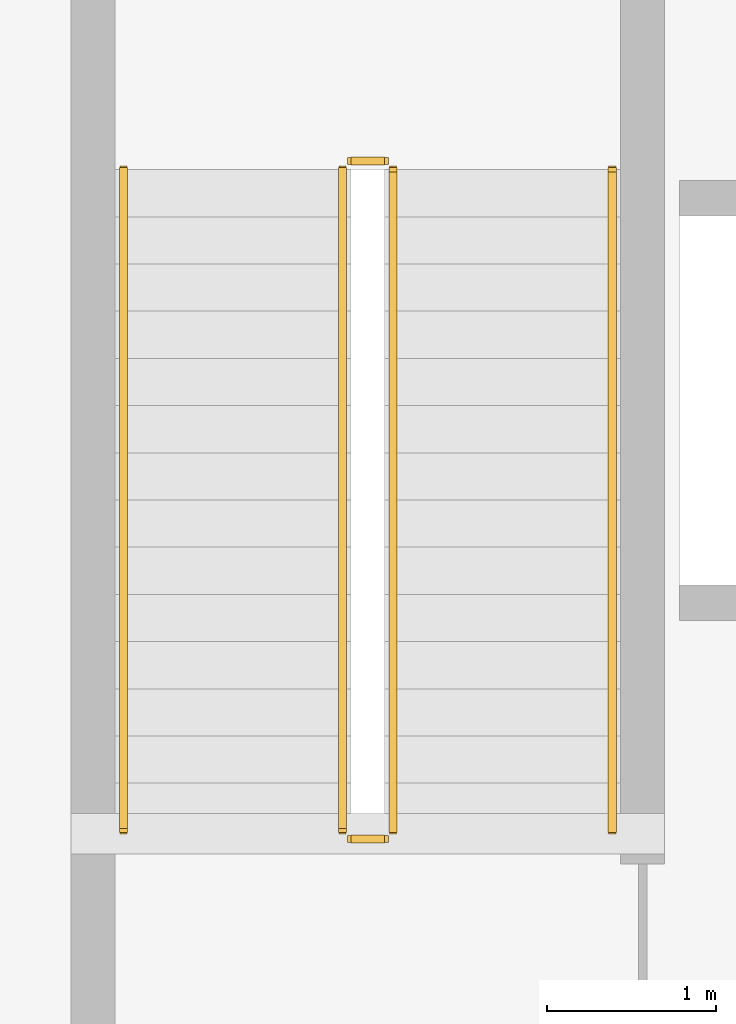
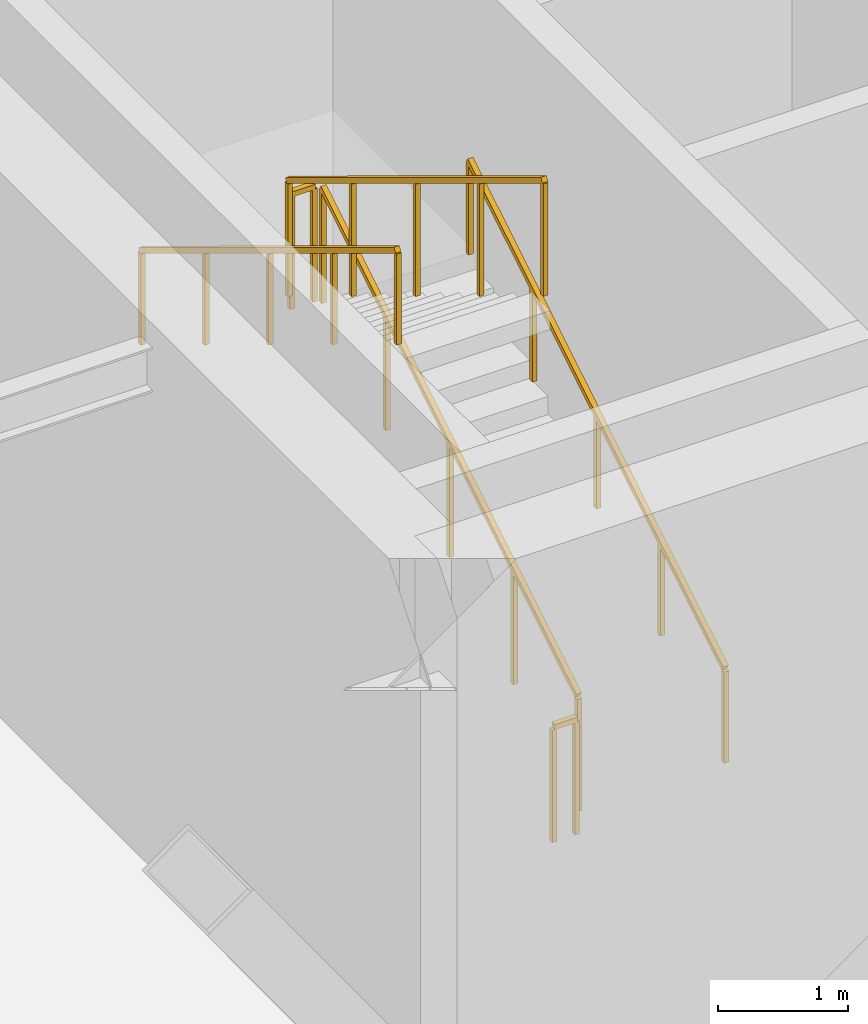
# One storey, part 14 of 16: 6 railings.
"""IFC4 building model written with IfcOpenShell, lengths in metres."""

from ifc_helpers import new_model, si_unit, direction, frame, origin, origin_2d, place, context, subcontext, project, spatial, rectangle, extrude, material, type_object, element, save


model = new_model("IFC4")

# Units and contexts
model_context = context("Model", 3, precision=1e-05, world=origin(), true_north=direction((0.0, 1.0)))
body_context = subcontext(model_context, "Body", "Model", "MODEL_VIEW")
ifc_project = project(units=[si_unit("LENGTHUNIT", "METRE"), si_unit("AREAUNIT", "SQUARE_METRE"), si_unit("VOLUMEUNIT", "CUBIC_METRE"), si_unit("PLANEANGLEUNIT", "RADIAN"), si_unit("MASSUNIT", "GRAM", prefix="KILO")], contexts=[model_context])

# Site, building, storey
site_placement = place(None, origin())
site = spatial("IfcSite", under=ifc_project, at=site_placement, CompositionType="ELEMENT")
building_placement = place(site_placement, origin())
building = spatial("IfcBuilding", under=site, at=building_placement, Name="Kiyonajd Concourse Tower", CompositionType="ELEMENT")
storey_placement = place(building_placement, frame((0.0, 0.0, 209.699951171875)))
storey = spatial("IfcBuildingStorey", under=building, at=storey_placement, Name="L53", CompositionType="ELEMENT", Elevation=209.699951171875)

# Railings
ifc_material_1 = material(Name="Steel ASTM A500 Grade C", Category="steel")
railing_type_1 = type_object("IfcRailingType", Name="RL-GRD-STR", PredefinedType="GUARDRAIL", material=ifc_material_1)
railing_1_placement = place(storey_placement, frame((35.5, 30.550048828125, 0.170166015625)))
element("IfcRailing", 1, at=railing_1_placement, inside=storey, type_object=railing_type_1, Name="L53 ST1 stair guard 1", PredefinedType="GUARDRAIL", context=body_context, shape_type="SweptSolid", body=[
    extrude(rectangle(XDim=0.048095703125, YDim=0.048095703125, at=origin_2d()), frame((0.0, 0.0, 1.076171875), z_axis=(0.0, 0.854794262968, 0.518967020143), x_axis=(-1.0, 0.0, 0.0)), (0.0, 0.0, 1.0), 4.585693359375),
    extrude(rectangle(XDim=0.0419921875, YDim=0.0419921875, at=origin_2d()), origin(), (0.0, 0.0, 1.0), 1.052001953125),
    extrude(rectangle(XDim=0.0419921875, YDim=0.0419921875, at=origin_2d()), frame((0.0, 0.97998046875, 0.594970703125)), (0.0, 0.0, 1.0), 1.052001953125),
    extrude(rectangle(XDim=0.0419921875, YDim=0.0419921875, at=origin_2d()), frame((0.0, 1.9599609375, 1.18994140625)), (0.0, 0.0, 1.0), 1.052001953125),
    extrude(rectangle(XDim=0.0419921875, YDim=0.0419921875, at=origin_2d()), frame((0.0, 2.93994140625, 1.784912109375)), (0.0, 0.0, 1.0), 1.052001953125),
    extrude(rectangle(XDim=0.0419921875, YDim=0.0419921875, at=origin_2d()), frame((0.0, 3.919921875, 2.3798828125)), (0.0, 0.0, 1.0), 1.052001953125),
])
railing_2_placement = place(storey_placement, frame((35.449951171875, 34.52001953125, 2.550048828125)))
element("IfcRailing", 2, at=railing_2_placement, inside=storey, type_object=railing_type_1, Name="L53 ST1 stair guard 2", PredefinedType="GUARDRAIL", context=body_context, shape_type="SweptSolid", body=[
    extrude(rectangle(XDim=0.048095703125, YDim=0.048095703125, at=origin_2d()), frame((0.0, 0.0, 1.076171875), z_axis=(-1.0, 0.0, 0.0), x_axis=(0.0, -1.0, 0.0)), (0.0, 0.0, 1.0), 0.199951171875),
    extrude(rectangle(XDim=0.0419921875, YDim=0.0419921875, at=origin_2d()), origin(), (0.0, 0.0, 1.0), 1.052001953125),
    extrude(rectangle(XDim=0.0419921875, YDim=0.0419921875, at=origin_2d()), frame((-0.199951171875, 0.0, 0.0)), (0.0, 0.0, 1.0), 1.052001953125),
])
railing_3_placement = place(storey_placement, frame((35.199951171875, 34.469970703125, 2.719970703125)))
element("IfcRailing", 3, at=railing_3_placement, inside=storey, type_object=railing_type_1, Name="L53 ST1 stair guard 3", PredefinedType="GUARDRAIL", context=body_context, shape_type="SweptSolid", body=[
    extrude(rectangle(XDim=0.048095703125, YDim=0.048095703125, at=origin_2d()), frame((0.0, 0.0, 1.076171875), z_axis=(0.0, -0.854770645689, 0.519005918337), x_axis=(1.0, 0.0, 0.0)), (0.0, 0.0, 1.0), 4.5859375),
    extrude(rectangle(XDim=0.0419921875, YDim=0.0419921875, at=origin_2d()), origin(), (0.0, 0.0, 1.0), 1.052001953125),
    extrude(rectangle(XDim=0.0419921875, YDim=0.0419921875, at=origin_2d()), frame((0.0, -0.97998046875, 0.594970703125)), (0.0, 0.0, 1.0), 1.052001953125),
    extrude(rectangle(XDim=0.0419921875, YDim=0.0419921875, at=origin_2d()), frame((0.0, -1.9599609375, 1.18994140625)), (0.0, 0.0, 1.0), 1.052001953125),
    extrude(rectangle(XDim=0.0419921875, YDim=0.0419921875, at=origin_2d()), frame((0.0, -2.93994140625, 1.78515625)), (0.0, 0.0, 1.0), 1.052001953125),
    extrude(rectangle(XDim=0.0419921875, YDim=0.0419921875, at=origin_2d()), frame((0.0, -3.919921875, 2.380126953125)), (0.0, 0.0, 1.0), 1.052001953125),
])
railing_4_placement = place(storey_placement, frame((35.449951171875, 30.5, 0.0)))
element("IfcRailing", 4, at=railing_4_placement, inside=storey, type_object=railing_type_1, Name="L53 ST1 stair guard 4", PredefinedType="GUARDRAIL", context=body_context, shape_type="SweptSolid", body=[
    extrude(rectangle(XDim=0.048095703125, YDim=0.048095703125, at=origin_2d()), frame((0.0, 0.0, 1.076171875), z_axis=(-1.0, 0.0, 0.0), x_axis=(0.0, -1.0, 0.0)), (0.0, 0.0, 1.0), 0.199951171875),
    extrude(rectangle(XDim=0.0419921875, YDim=0.0419921875, at=origin_2d()), origin(), (0.0, 0.0, 1.0), 1.052001953125),
    extrude(rectangle(XDim=0.0419921875, YDim=0.0419921875, at=origin_2d()), frame((-0.199951171875, 0.0, 0.0)), (0.0, 0.0, 1.0), 1.052001953125),
])
ifc_material_2 = material(Name="Brushed Stainless Steel Cab Assembly", Category="steel")
railing_type_2 = type_object("IfcRailingType", Name="RL-HND-900", PredefinedType="HANDRAIL", material=ifc_material_2)
railing_5_placement = place(storey_placement, frame((36.800048828125, 30.550048828125, 0.170166015625)))
element("IfcRailing", 5, at=railing_5_placement, inside=storey, type_object=railing_type_2, Name="L53 ST1 stair handrail 1", PredefinedType="HANDRAIL", context=body_context, shape_type="SweptSolid", body=[
    extrude(rectangle(XDim=0.048095703125, YDim=0.048095703125, at=origin_2d()), frame((0.0, 0.0, 0.8759765625), z_axis=(0.0, 0.854794262968, 0.518967020143), x_axis=(-1.0, 0.0, 0.0)), (0.0, 0.0, 1.0), 4.585693359375),
    extrude(rectangle(XDim=0.0419921875, YDim=0.0419921875, at=origin_2d()), origin(), (0.0, 0.0, 1.0), 0.851806640625),
    extrude(rectangle(XDim=0.0419921875, YDim=0.0419921875, at=origin_2d()), frame((0.0, 0.97998046875, 0.594970703125)), (0.0, 0.0, 1.0), 0.851806640625),
    extrude(rectangle(XDim=0.0419921875, YDim=0.0419921875, at=origin_2d()), frame((0.0, 1.9599609375, 1.18994140625)), (0.0, 0.0, 1.0), 0.851806640625),
    extrude(rectangle(XDim=0.0419921875, YDim=0.0419921875, at=origin_2d()), frame((0.0, 2.93994140625, 1.784912109375)), (0.0, 0.0, 1.0), 0.851806640625),
    extrude(rectangle(XDim=0.0419921875, YDim=0.0419921875, at=origin_2d()), frame((0.0, 3.919921875, 2.3798828125)), (0.0, 0.0, 1.0), 0.851806640625),
])
railing_6_placement = place(storey_placement, frame((33.89990234375, 34.469970703125, 2.719970703125)))
element("IfcRailing", 6, at=railing_6_placement, inside=storey, type_object=railing_type_2, Name="L53 ST1 stair handrail 2", PredefinedType="HANDRAIL", context=body_context, shape_type="SweptSolid", body=[
    extrude(rectangle(XDim=0.048095703125, YDim=0.048095703125, at=origin_2d()), frame((0.0, 0.0, 0.8759765625), z_axis=(0.0, -0.854770645689, 0.519005918337), x_axis=(1.0, 0.0, 0.0)), (0.0, 0.0, 1.0), 4.5859375),
    extrude(rectangle(XDim=0.0419921875, YDim=0.0419921875, at=origin_2d()), origin(), (0.0, 0.0, 1.0), 0.851806640625),
    extrude(rectangle(XDim=0.0419921875, YDim=0.0419921875, at=origin_2d()), frame((0.0, -0.97998046875, 0.594970703125)), (0.0, 0.0, 1.0), 0.851806640625),
    extrude(rectangle(XDim=0.0419921875, YDim=0.0419921875, at=origin_2d()), frame((0.0, -1.9599609375, 1.18994140625)), (0.0, 0.0, 1.0), 0.851806640625),
    extrude(rectangle(XDim=0.0419921875, YDim=0.0419921875, at=origin_2d()), frame((0.0, -2.93994140625, 1.78515625)), (0.0, 0.0, 1.0), 0.851806640625),
    extrude(rectangle(XDim=0.0419921875, YDim=0.0419921875, at=origin_2d()), frame((0.0, -3.919921875, 2.380126953125)), (0.0, 0.0, 1.0), 0.851806640625),
])

save(model, "model.ifc")
